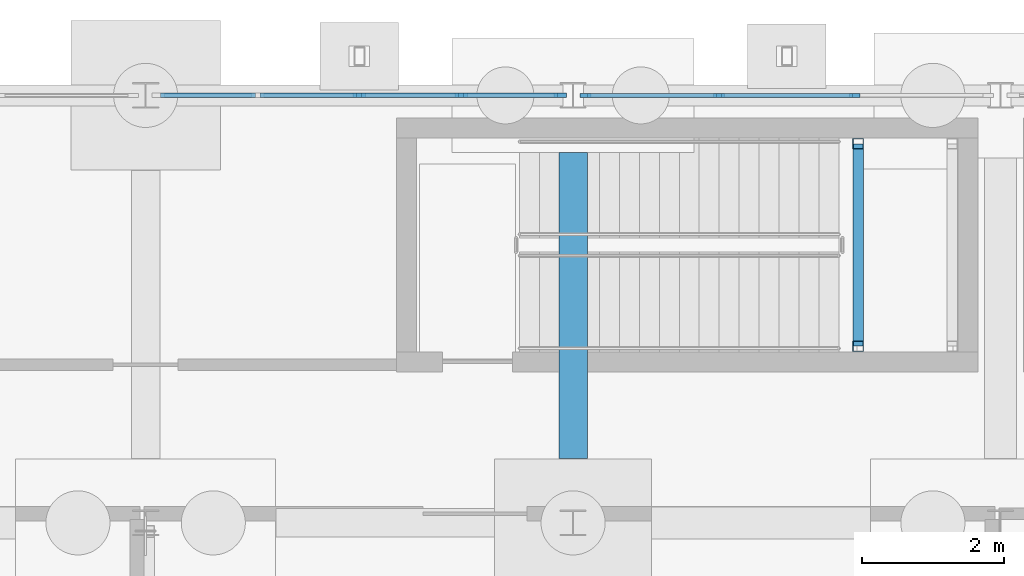
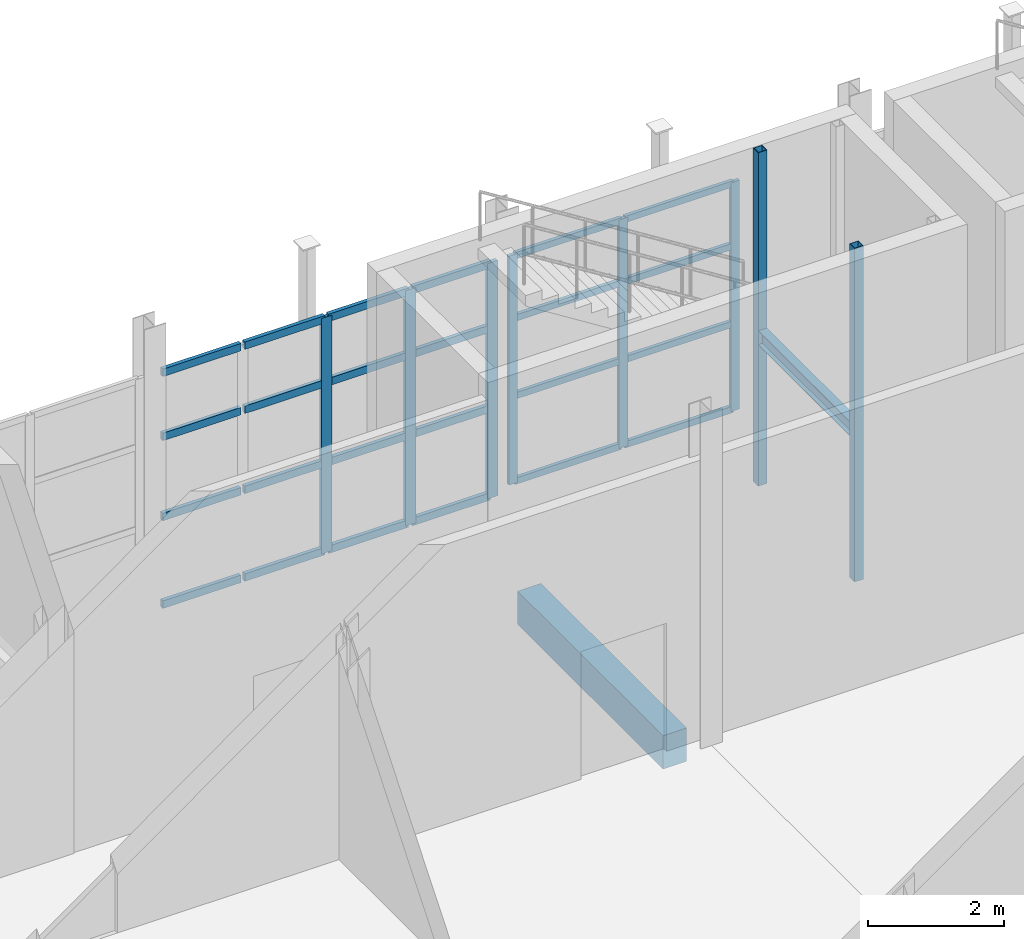
# One storey, part 39 of 120: 32 members, 2 beams, 2 elements without a shape of their own.
"""IFC4 building model written with IfcOpenShell, lengths in metres."""

import ifcopenshell
import ifcopenshell.guid

model = None  # the IFC model being written
_history = None  # IfcOwnerHistory: only IFC2X3 demands one
_inside = {}  # id of a spatial element -> (the spatial element, [elements in it])
_under = {}  # id of a project, library or spatial element -> (it, [spatial elements below it])
_declared = {}  # id of a project -> (the project, [libraries it declares])
_typed = {}  # id of a type object -> (the type object, [elements of that type])
_made_of = {}  # id of a material, layer set ... -> (it, [elements and type objects made of it])


def new_model(schema):
    """Start an empty IFC model of exactly this schema.

    Asked for "IFC4X3", IfcOpenShell would pick the latest addendum, in which some entities
    have other attributes; the version numbers below select the first issue.
    IFC2X3 requires an IfcOwnerHistory on every rooted entity: one is made here for all.
    """
    global model, _history
    if schema == "IFC4X3":
        model = ifcopenshell.file(schema_version=(4, 3, 0, 0))
    else:
        model = ifcopenshell.file(schema=schema)
    _inside.clear()
    _under.clear()
    _declared.clear()
    _typed.clear()
    _made_of.clear()
    _history = None
    if model.schema == "IFC2X3":
        org = make("IfcOrganization", Name="unknown")
        user = make(
            "IfcPersonAndOrganization",
            ThePerson=make("IfcPerson", FamilyName="unknown"),
            TheOrganization=org,
        )
        app = make(
            "IfcApplication",
            ApplicationDeveloper=org,
            Version="unknown",
            ApplicationFullName="unknown",
            ApplicationIdentifier="unknown",
        )
        _history = make(
            "IfcOwnerHistory",
            OwningUser=user,
            OwningApplication=app,
            ChangeAction="ADDED",
            CreationDate=0,
        )
    return model


def make(cls, **values):
    """One entity of the class cls with the attributes given. An attribute that is None is left unset."""
    return model.create_entity(
        cls, **{name: value for name, value in values.items() if value is not None}
    )


def rooted(cls, **values):
    """An entity with a GlobalId (a new one), such as an element, a storey or a relation."""
    return make(cls, GlobalId=ifcopenshell.guid.new(), OwnerHistory=_history, **values)


def si_unit(unit_type, name, prefix=None):
    """IfcSIUnit, for example si_unit("LENGTHUNIT", "METRE", prefix="MILLI")."""
    return make("IfcSIUnit", UnitType=unit_type, Prefix=prefix, Name=name)


def assignment(units):
    """IfcUnitAssignment: the units of a project."""
    return None if units is None else make("IfcUnitAssignment", Units=units)


def point(xyz):
    """IfcCartesianPoint."""
    return None if xyz is None else make("IfcCartesianPoint", Coordinates=xyz)


def direction(xyz):
    """IfcDirection."""
    return None if xyz is None else make("IfcDirection", DirectionRatios=xyz)


def frame(location, z_axis=None, x_axis=None):
    """IfcAxis2Placement3D, a coordinate frame: its origin and axes. An axis left out is left unset."""
    return make(
        "IfcAxis2Placement3D",
        Location=point(location),
        Axis=direction(z_axis),
        RefDirection=direction(x_axis),
    )


def frame_2d(location, x_axis=None):
    """IfcAxis2Placement2D, a coordinate frame in the plane: its origin and x axis."""
    return make(
        "IfcAxis2Placement2D", Location=point(location), RefDirection=direction(x_axis)
    )


def origin():
    """The frame at (0, 0, 0) with its axes left unset."""
    return frame((0.0, 0.0, 0.0))


def origin_2d():
    """The frame at (0, 0) in the plane with its x axis left unset."""
    return frame_2d((0.0, 0.0))


def place(relative_to, where):
    """IfcLocalPlacement: puts the frame where relative to a parent placement (None: the world)."""
    return make(
        "IfcLocalPlacement", PlacementRelTo=relative_to, RelativePlacement=where
    )


def context(
    kind, dimensions, precision=None, world=None, true_north=None, identifier=None
):
    """IfcGeometricRepresentationContext, for example the 3D "Model" context."""
    return make(
        "IfcGeometricRepresentationContext",
        ContextIdentifier=identifier,
        ContextType=kind,
        CoordinateSpaceDimension=dimensions,
        Precision=precision,
        WorldCoordinateSystem=world,
        TrueNorth=true_north,
    )


def subcontext(parent, identifier, kind, view, scale=None):
    """IfcGeometricRepresentationSubContext, for example "Body" below "Model"."""
    return make(
        "IfcGeometricRepresentationSubContext",
        ContextIdentifier=identifier,
        ContextType=kind,
        ParentContext=parent,
        TargetScale=scale,
        TargetView=view,
    )


def project(units=None, contexts=None):
    """IfcProject with its units and contexts."""
    return rooted(
        "IfcProject",
        Name="project",
        RepresentationContexts=contexts,
        UnitsInContext=assignment(units),
    )


def spatial(cls, under=None, at=None, **own):
    """A site, building, storey or space (cls), placed at a placement, below another one or the project."""
    s = rooted(cls, ObjectPlacement=at, **own)
    if under is not None:
        _under.setdefault(under.id(), (under, []))[1].append(s)
    return s


def profile(cls, at=None, kind="AREA", **sizes):
    """A parametric profile (cls). Its sizes go by their IFC names, for example OverallWidth=200.0."""
    return make(cls, ProfileType=kind, Position=at, **sizes)


def rectangle(**sizes):
    """IfcRectangleProfileDef."""
    return profile("IfcRectangleProfileDef", **sizes)


def hollow_rectangle(**sizes):
    """IfcRectangleHollowProfileDef."""
    return profile("IfcRectangleHollowProfileDef", **sizes)


def i_section(**sizes):
    """IfcIShapeProfileDef."""
    return profile("IfcIShapeProfileDef", **sizes)


def extrude(swept, where, along, depth):
    """IfcExtrudedAreaSolid: the profile swept, set in the frame where, extruded along a direction by depth."""
    return make(
        "IfcExtrudedAreaSolid",
        SweptArea=swept,
        Position=where,
        ExtrudedDirection=direction(along),
        Depth=depth,
    )


def shape(context_of_items, identifier, shape_type, items):
    """IfcShapeRepresentation: the items that make up one representation, for example the "Body"."""
    return make(
        "IfcShapeRepresentation",
        ContextOfItems=context_of_items,
        RepresentationIdentifier=identifier,
        RepresentationType=shape_type,
        Items=items,
    )


def material(Name=None, Category=None):
    """IfcMaterial."""
    return make("IfcMaterial", Name=Name, Category=Category)


def material_profile(
    of_material, cross_section, Name=None, Category=None, Priority=None
):
    """IfcMaterialProfile: a cross section and its material."""
    return make(
        "IfcMaterialProfile",
        Name=Name,
        Material=of_material,
        Profile=cross_section,
        Priority=Priority,
        Category=Category,
    )


def profile_set(profiles, Name=None, composite=None):
    """IfcMaterialProfileSet."""
    return make(
        "IfcMaterialProfileSet",
        Name=Name,
        MaterialProfiles=profiles,
        CompositeProfile=composite,
    )


def made_of(thing, what):
    """Note that an element or type object is made of a material, layer set ...; save() writes the relation."""
    if what is not None:
        _made_of.setdefault(what.id(), (what, []))[1].append(thing)
    return thing


def type_object(cls, material=None, **own):
    """A type object (cls), such as IfcWallType, which elements share."""
    return made_of(rooted(cls, **own), material)


def element(
    cls,
    number,
    at=None,
    inside=None,
    cuts=None,
    type_object=None,
    material=None,
    context=None,
    identifier="Body",
    shape_type=None,
    held_by="IfcProductDefinitionShape",
    body=None,
    shapes=None,
    **own,
):
    """One element of the class cls, such as IfcWall. Its Tag is "e" and its number.

    at: its placement. inside: the storey or other place that contains it. cuts: it is an
    opening in that element (IfcRelVoidsElement). A single representation is given by context,
    identifier, shape_type and body (its items); several are given by shapes. held_by: the class
    of the entity that holds the representations. save() writes the other relations.
    """
    e = rooted(cls, Tag="e%d" % number, ObjectPlacement=at, **own)
    if body is not None:
        shapes = [shape(context, identifier, shape_type, body)]
    if shapes is not None:
        e.Representation = make(held_by, Representations=shapes)
    if inside is not None:
        _inside.setdefault(inside.id(), (inside, []))[1].append(e)
    if cuts is not None:
        rooted(
            "IfcRelVoidsElement", RelatingBuildingElement=cuts, RelatedOpeningElement=e
        )
    if type_object is not None:
        _typed.setdefault(type_object.id(), (type_object, []))[1].append(e)
    return made_of(e, material)


def aggregate(whole, parts):
    """IfcRelAggregates: a whole, such as a stair, and the parts it consists of."""
    return rooted("IfcRelAggregates", RelatingObject=whole, RelatedObjects=parts)


def save(model, path):
    """Write the relations noted so far, then the file.

    IfcRelAggregates (storeys below a building ...), IfcRelContainedInSpatialStructure (elements
    in a storey), IfcRelDefinesByType, IfcRelAssociatesMaterial and IfcRelDeclares: one each for
    every whole, place, type object, material and project.
    """
    for whole, parts in _under.values():
        aggregate(whole, parts)
    for where, things in _inside.values():
        rooted(
            "IfcRelContainedInSpatialStructure",
            RelatedElements=things,
            RelatingStructure=where,
        )
    for kind, things in _typed.values():
        rooted("IfcRelDefinesByType", RelatedObjects=things, RelatingType=kind)
    for what, things in _made_of.values():
        rooted("IfcRelAssociatesMaterial", RelatedObjects=things, RelatingMaterial=what)
    for by, libraries in _declared.values():
        rooted("IfcRelDeclares", RelatingContext=by, RelatedDefinitions=libraries)
    model.write(path)


model = new_model("IFC4")

# Units and contexts
model_context = context("Model", 3, precision=1e-05, world=origin(), true_north=direction((0.0, 1.0)))
body_context = subcontext(model_context, "Body", "Model", "MODEL_VIEW")
ifc_project = project(units=[si_unit("LENGTHUNIT", "METRE"), si_unit("AREAUNIT", "SQUARE_METRE"), si_unit("VOLUMEUNIT", "CUBIC_METRE"), si_unit("PLANEANGLEUNIT", "RADIAN"), si_unit("MASSUNIT", "GRAM", prefix="KILO")], contexts=[model_context])

# Site, building, storey
site_placement = place(None, origin())
site = spatial("IfcSite", under=ifc_project, at=site_placement, CompositionType="ELEMENT")
building_placement = place(site_placement, origin())
building = spatial("IfcBuilding", under=site, at=building_placement, Name="Siltcreek Boulevard Central Fire Station", CompositionType="ELEMENT")
storey_placement = place(building_placement, origin())
storey = spatial("IfcBuildingStorey", under=building, at=storey_placement, Name="L01", CompositionType="ELEMENT", Elevation=0.0)

# Members
ifc_material_1 = material(Name="Structural steel ASTM A500 GrC", Category="steel")
ifc_material_profile_1 = material_profile(ifc_material_1, hollow_rectangle(XDim=0.14990234375, YDim=0.14990234375, WallThickness=0.008056640625, at=origin_2d()), Name="HSS150X150X8.0")
ifc_profile_set_1 = profile_set([ifc_material_profile_1], Name="Structural steel ASTM A500 GrC")
member_type_1 = type_object("IfcMemberType", Name="BR_HSS150_8", PredefinedType="BRACE", material=ifc_profile_set_1)
for number, where, z_axis, x_axis, name in (
    (1, (64.0, 50.47998046875, 0.0), (0.0, 0.0, 1.0), (1.0, 0.0, 0.0), "L01 ST-V1B stair landing corner post SW"),
    (2, (64.0, 53.320068359375, 0.0), (0.0, 0.0, 1.0), (1.0, 0.0, 0.0), "L01 ST-V1B stair landing corner post NW"),
):
    element("IfcMember", number, at=place(storey_placement, frame(where, z_axis=z_axis, x_axis=x_axis)), inside=storey, type_object=member_type_1, Name=name, PredefinedType="BRACE", context=body_context, shape_type="SweptSolid", body=[
        extrude(hollow_rectangle(XDim=0.14990234375, YDim=0.14990234375, WallThickness=0.008056640625, at=origin_2d()), origin(), (0.0, 0.0, 1.0), 6.0),
    ])

# Curtain wall, members
ifc_material_2 = material(Name="Anodized aluminum and low-E insulated glazing", Category="aluminium")
curtain_wall_type_1 = type_object("IfcCurtainWallType", Name="CW_SYS_06", PredefinedType="USERDEFINED", material=ifc_material_2)
curtain_wall_1_placement = place(storey_placement, origin())
curtain_wall_1 = element("IfcCurtainWall", 3, at=curtain_wall_1_placement, inside=storey, type_object=curtain_wall_type_1, Name="L01 V1 unitised curtain wall CW-005", ObjectType="CURTAIN WALL", PredefinedType="USERDEFINED")
ifc_material_3 = material(Name="Anodized 6063-T6 aluminum framing", Category="aluminium")
ifc_material_profile_2 = material_profile(ifc_material_3, rectangle(XDim=0.06005859375, YDim=0.14990234375, at=origin_2d()), Name="MULL60X150")
ifc_profile_set_2 = profile_set([ifc_material_profile_2], Name="Anodized 6063-T6 aluminum framing")
member_type_2 = type_object("IfcMemberType", Name="CWM_60X150", PredefinedType="MULLION", material=ifc_profile_set_2)
member_1_placement = place(storey_placement, frame((63.95166015625, 54.0, 0.919921875), z_axis=(0.0, 0.0, 1.0), x_axis=(0.0, -1.0, 0.0)))
member_1 = element("IfcMember", 4, at=member_1_placement, type_object=member_type_2, Name="CW-005 mullion 2", PredefinedType="MULLION", context=body_context, shape_type="SweptSolid", body=[
    extrude(rectangle(XDim=0.06005859375, YDim=0.14990234375, at=origin_2d()), origin(), (0.0, 0.0, 1.0), 4.114990234375),
])
member_2_placement = place(storey_placement, frame((62.04833984375, 54.0, 0.919921875), z_axis=(0.0, 0.0, 1.0), x_axis=(0.0, -1.0, 0.0)))
member_2 = element("IfcMember", 5, at=member_2_placement, type_object=member_type_2, Name="CW-005 mullion 3", PredefinedType="MULLION", context=body_context, shape_type="SweptSolid", body=[
    extrude(rectangle(XDim=0.06005859375, YDim=0.14990234375, at=origin_2d()), origin(), (0.0, 0.0, 1.0), 4.114990234375),
])
member_3_placement = place(storey_placement, frame((60.175048828125, 54.0, 0.919921875), z_axis=(0.0, 0.0, 1.0), x_axis=(0.0, -1.0, 0.0)))
member_3 = element("IfcMember", 6, at=member_3_placement, type_object=member_type_2, Name="CW-005 mullion 4", PredefinedType="MULLION", context=body_context, shape_type="SweptSolid", body=[
    extrude(rectangle(XDim=0.06005859375, YDim=0.14990234375, at=origin_2d()), origin(), (0.0, 0.0, 1.0), 4.114990234375),
])

curtain_wall_type_2 = type_object("IfcCurtainWallType", Name="CW_SYS_05", PredefinedType="USERDEFINED", material=ifc_material_2)
curtain_wall_2_placement = place(storey_placement, origin())
curtain_wall_2 = element("IfcCurtainWall", 7, at=curtain_wall_2_placement, inside=storey, type_object=curtain_wall_type_2, Name="L01 V1 unitised curtain wall CW-004", ObjectType="CURTAIN WALL", PredefinedType="USERDEFINED")
ifc_material_profile_3 = material_profile(ifc_material_3, rectangle(XDim=0.06494140625, YDim=0.175048828125, at=origin_2d()), Name="MULL65X175")
ifc_profile_set_3 = profile_set([ifc_material_profile_3], Name="Anodized 6063-T6 aluminum framing")
member_type_3 = type_object("IfcMemberType", Name="CWM_65X175", PredefinedType="MULLION", material=ifc_profile_set_3)
member_4_placement = place(storey_placement, frame((59.822509765625, 54.0, 0.800048828125), z_axis=(0.0, 0.0, 1.0), x_axis=(0.0, -1.0, 0.0)))
member_4 = element("IfcMember", 8, at=member_4_placement, type_object=member_type_3, Name="CW-004 mullion 1", PredefinedType="MULLION", context=body_context, shape_type="SweptSolid", body=[
    extrude(rectangle(XDim=0.06494140625, YDim=0.175048828125, at=origin_2d()), origin(), (0.0, 0.0, 1.0), 4.23486328125),
])
member_5_placement = place(storey_placement, frame((58.427490234375, 54.0, 0.800048828125), z_axis=(0.0, 0.0, 1.0), x_axis=(0.0, -1.0, 0.0)))
member_5 = element("IfcMember", 9, at=member_5_placement, type_object=member_type_3, Name="CW-004 mullion 2", PredefinedType="MULLION", context=body_context, shape_type="SweptSolid", body=[
    extrude(rectangle(XDim=0.06494140625, YDim=0.175048828125, at=origin_2d()), origin(), (0.0, 0.0, 1.0), 4.23486328125),
])
member_6_placement = place(storey_placement, frame((57.0, 54.0, 0.800048828125), z_axis=(0.0, 0.0, 1.0), x_axis=(0.0, -1.0, 0.0)))
member_6 = element("IfcMember", 10, at=member_6_placement, type_object=member_type_3, Name="CW-004 mullion 3", PredefinedType="MULLION", context=body_context, shape_type="SweptSolid", body=[
    extrude(rectangle(XDim=0.06494140625, YDim=0.175048828125, at=origin_2d()), origin(), (0.0, 0.0, 1.0), 4.23486328125),
])

# Member
ifc_material_profile_4 = material_profile(ifc_material_3, rectangle(XDim=0.06005859375, YDim=0.114990234375, at=origin_2d()), Name="TRAN60X115")
ifc_profile_set_4 = profile_set([ifc_material_profile_4], Name="Anodized 6063-T6 aluminum framing")
member_type_4 = type_object("IfcMemberType", Name="CWT_60X115", PredefinedType="USERDEFINED", material=ifc_profile_set_4)
member_7_placement = place(storey_placement, frame((63.921630859375, 54.0, 0.949951171875), z_axis=(-1.0, 0.0, 0.0), x_axis=(0.0, -1.0, 0.0)))
member_7 = element("IfcMember", 11, at=member_7_placement, type_object=member_type_4, Name="CW-005 transom 2.1", ObjectType="TRANSOM", PredefinedType="USERDEFINED", context=body_context, shape_type="SweptSolid", body=[
    extrude(rectangle(XDim=0.06005859375, YDim=0.114990234375, at=origin_2d()), origin(), (0.0, 0.0, 1.0), 1.84326171875),
])

member_8_placement = place(storey_placement, frame((63.921630859375, 54.0, 2.483642578125), z_axis=(-1.0, 0.0, 0.0), x_axis=(0.0, -1.0, 0.0)))
member_8 = element("IfcMember", 12, at=member_8_placement, type_object=member_type_4, Name="CW-005 transom 2.2", ObjectType="TRANSOM", PredefinedType="USERDEFINED", context=body_context, shape_type="SweptSolid", body=[
    extrude(rectangle(XDim=0.06005859375, YDim=0.114990234375, at=origin_2d()), origin(), (0.0, 0.0, 1.0), 1.84326171875),
])

member_9_placement = place(storey_placement, frame((63.921630859375, 54.0, 3.8828125), z_axis=(-1.0, 0.0, 0.0), x_axis=(0.0, -1.0, 0.0)))
member_9 = element("IfcMember", 13, at=member_9_placement, type_object=member_type_4, Name="CW-005 transom 2.3", ObjectType="TRANSOM", PredefinedType="USERDEFINED", context=body_context, shape_type="SweptSolid", body=[
    extrude(rectangle(XDim=0.06005859375, YDim=0.114990234375, at=origin_2d()), origin(), (0.0, 0.0, 1.0), 1.84326171875),
])

member_10_placement = place(storey_placement, frame((63.921630859375, 54.0, 5.0048828125), z_axis=(-1.0, 0.0, 0.0), x_axis=(0.0, -1.0, 0.0)))
member_10 = element("IfcMember", 14, at=member_10_placement, type_object=member_type_4, Name="CW-005 transom 2.4", ObjectType="TRANSOM", PredefinedType="USERDEFINED", context=body_context, shape_type="SweptSolid", body=[
    extrude(rectangle(XDim=0.06005859375, YDim=0.114990234375, at=origin_2d()), origin(), (0.0, 0.0, 1.0), 1.84326171875),
])

member_11_placement = place(storey_placement, frame((62.018310546875, 54.0, 0.949951171875), z_axis=(-1.0, 0.0, 0.0), x_axis=(0.0, -1.0, 0.0)))
member_11 = element("IfcMember", 15, at=member_11_placement, type_object=member_type_4, Name="CW-005 transom 3.1", ObjectType="TRANSOM", PredefinedType="USERDEFINED", context=body_context, shape_type="SweptSolid", body=[
    extrude(rectangle(XDim=0.06005859375, YDim=0.114990234375, at=origin_2d()), origin(), (0.0, 0.0, 1.0), 1.813232421875),
])

member_12_placement = place(storey_placement, frame((62.018310546875, 54.0, 2.483642578125), z_axis=(-1.0, 0.0, 0.0), x_axis=(0.0, -1.0, 0.0)))
member_12 = element("IfcMember", 16, at=member_12_placement, type_object=member_type_4, Name="CW-005 transom 3.2", ObjectType="TRANSOM", PredefinedType="USERDEFINED", context=body_context, shape_type="SweptSolid", body=[
    extrude(rectangle(XDim=0.06005859375, YDim=0.114990234375, at=origin_2d()), origin(), (0.0, 0.0, 1.0), 1.813232421875),
])

member_13_placement = place(storey_placement, frame((62.018310546875, 54.0, 3.8828125), z_axis=(-1.0, 0.0, 0.0), x_axis=(0.0, -1.0, 0.0)))
member_13 = element("IfcMember", 17, at=member_13_placement, type_object=member_type_4, Name="CW-005 transom 3.3", ObjectType="TRANSOM", PredefinedType="USERDEFINED", context=body_context, shape_type="SweptSolid", body=[
    extrude(rectangle(XDim=0.06005859375, YDim=0.114990234375, at=origin_2d()), origin(), (0.0, 0.0, 1.0), 1.813232421875),
])

member_14_placement = place(storey_placement, frame((62.018310546875, 54.0, 5.0048828125), z_axis=(-1.0, 0.0, 0.0), x_axis=(0.0, -1.0, 0.0)))
member_14 = element("IfcMember", 18, at=member_14_placement, type_object=member_type_4, Name="CW-005 transom 3.4", ObjectType="TRANSOM", PredefinedType="USERDEFINED", context=body_context, shape_type="SweptSolid", body=[
    extrude(rectangle(XDim=0.06005859375, YDim=0.114990234375, at=origin_2d()), origin(), (0.0, 0.0, 1.0), 1.813232421875),
])

aggregate(curtain_wall_1, [member_1, member_2, member_3, member_7, member_8, member_9, member_10, member_11, member_12, member_13, member_14])

ifc_material_profile_5 = material_profile(ifc_material_3, rectangle(XDim=0.06494140625, YDim=0.135009765625, at=origin_2d()), Name="TRAN65X135")
ifc_profile_set_5 = profile_set([ifc_material_profile_5], Name="Anodized 6063-T6 aluminum framing")
member_type_5 = type_object("IfcMemberType", Name="CWT_65X135", PredefinedType="USERDEFINED", material=ifc_profile_set_5)
member_15_placement = place(storey_placement, frame((59.7900390625, 54.0, 0.83251953125), z_axis=(-1.0, 0.0, 0.0), x_axis=(0.0, -1.0, 0.0)))
member_15 = element("IfcMember", 19, at=member_15_placement, type_object=member_type_5, Name="CW-004 transom 1.1", ObjectType="TRANSOM", PredefinedType="USERDEFINED", context=body_context, shape_type="SweptSolid", body=[
    extrude(rectangle(XDim=0.06494140625, YDim=0.135009765625, at=origin_2d()), origin(), (0.0, 0.0, 1.0), 1.330078125),
])

member_16_placement = place(storey_placement, frame((59.7900390625, 54.0, 2.4091796875), z_axis=(-1.0, 0.0, 0.0), x_axis=(0.0, -1.0, 0.0)))
member_16 = element("IfcMember", 20, at=member_16_placement, type_object=member_type_5, Name="CW-004 transom 1.2", ObjectType="TRANSOM", PredefinedType="USERDEFINED", context=body_context, shape_type="SweptSolid", body=[
    extrude(rectangle(XDim=0.06494140625, YDim=0.135009765625, at=origin_2d()), origin(), (0.0, 0.0, 1.0), 1.330078125),
])

member_17_placement = place(storey_placement, frame((59.7900390625, 54.0, 3.84912109375), z_axis=(-1.0, 0.0, 0.0), x_axis=(0.0, -1.0, 0.0)))
member_17 = element("IfcMember", 21, at=member_17_placement, type_object=member_type_5, Name="CW-004 transom 1.3", ObjectType="TRANSOM", PredefinedType="USERDEFINED", context=body_context, shape_type="SweptSolid", body=[
    extrude(rectangle(XDim=0.06494140625, YDim=0.135009765625, at=origin_2d()), origin(), (0.0, 0.0, 1.0), 1.330078125),
])

member_18_placement = place(storey_placement, frame((59.7900390625, 54.0, 5.00244140625), z_axis=(-1.0, 0.0, 0.0), x_axis=(0.0, -1.0, 0.0)))
member_18 = element("IfcMember", 22, at=member_18_placement, type_object=member_type_5, Name="CW-004 transom 1.4", ObjectType="TRANSOM", PredefinedType="USERDEFINED", context=body_context, shape_type="SweptSolid", body=[
    extrude(rectangle(XDim=0.06494140625, YDim=0.135009765625, at=origin_2d()), origin(), (0.0, 0.0, 1.0), 1.330078125),
])

member_19_placement = place(storey_placement, frame((58.39501953125, 54.0, 0.83251953125), z_axis=(-1.0, 0.0, 0.0), x_axis=(0.0, -1.0, 0.0)))
member_19 = element("IfcMember", 23, at=member_19_placement, type_object=member_type_5, Name="CW-004 transom 2.1", ObjectType="TRANSOM", PredefinedType="USERDEFINED", context=body_context, shape_type="SweptSolid", body=[
    extrude(rectangle(XDim=0.06494140625, YDim=0.135009765625, at=origin_2d()), origin(), (0.0, 0.0, 1.0), 1.362548828125),
])

member_20_placement = place(storey_placement, frame((58.39501953125, 54.0, 2.4091796875), z_axis=(-1.0, 0.0, 0.0), x_axis=(0.0, -1.0, 0.0)))
member_20 = element("IfcMember", 24, at=member_20_placement, type_object=member_type_5, Name="CW-004 transom 2.2", ObjectType="TRANSOM", PredefinedType="USERDEFINED", context=body_context, shape_type="SweptSolid", body=[
    extrude(rectangle(XDim=0.06494140625, YDim=0.135009765625, at=origin_2d()), origin(), (0.0, 0.0, 1.0), 1.362548828125),
])

member_21_placement = place(storey_placement, frame((58.39501953125, 54.0, 3.84912109375), z_axis=(-1.0, 0.0, 0.0), x_axis=(0.0, -1.0, 0.0)))
member_21 = element("IfcMember", 25, at=member_21_placement, type_object=member_type_5, Name="CW-004 transom 2.3", ObjectType="TRANSOM", PredefinedType="USERDEFINED", context=body_context, shape_type="SweptSolid", body=[
    extrude(rectangle(XDim=0.06494140625, YDim=0.135009765625, at=origin_2d()), origin(), (0.0, 0.0, 1.0), 1.362548828125),
])

member_22_placement = place(storey_placement, frame((58.39501953125, 54.0, 5.00244140625), z_axis=(-1.0, 0.0, 0.0), x_axis=(0.0, -1.0, 0.0)))
member_22 = element("IfcMember", 26, at=member_22_placement, type_object=member_type_5, Name="CW-004 transom 2.4", ObjectType="TRANSOM", PredefinedType="USERDEFINED", context=body_context, shape_type="SweptSolid", body=[
    extrude(rectangle(XDim=0.06494140625, YDim=0.135009765625, at=origin_2d()), origin(), (0.0, 0.0, 1.0), 1.362548828125),
])

member_23_placement = place(storey_placement, frame((56.967529296875, 54.0, 0.83251953125), z_axis=(-1.0, 0.0, 0.0), x_axis=(0.0, -1.0, 0.0)))
member_23 = element("IfcMember", 27, at=member_23_placement, type_object=member_type_5, Name="CW-004 transom 3.1", ObjectType="TRANSOM", PredefinedType="USERDEFINED", context=body_context, shape_type="SweptSolid", body=[
    extrude(rectangle(XDim=0.06494140625, YDim=0.135009765625, at=origin_2d()), origin(), (0.0, 0.0, 1.0), 1.362548828125),
])

member_24_placement = place(storey_placement, frame((56.967529296875, 54.0, 2.4091796875), z_axis=(-1.0, 0.0, 0.0), x_axis=(0.0, -1.0, 0.0)))
member_24 = element("IfcMember", 28, at=member_24_placement, type_object=member_type_5, Name="CW-004 transom 3.2", ObjectType="TRANSOM", PredefinedType="USERDEFINED", context=body_context, shape_type="SweptSolid", body=[
    extrude(rectangle(XDim=0.06494140625, YDim=0.135009765625, at=origin_2d()), origin(), (0.0, 0.0, 1.0), 1.362548828125),
])

member_25_placement = place(storey_placement, frame((56.967529296875, 54.0, 3.84912109375), z_axis=(-1.0, 0.0, 0.0), x_axis=(0.0, -1.0, 0.0)))
member_25 = element("IfcMember", 29, at=member_25_placement, type_object=member_type_5, Name="CW-004 transom 3.3", ObjectType="TRANSOM", PredefinedType="USERDEFINED", context=body_context, shape_type="SweptSolid", body=[
    extrude(rectangle(XDim=0.06494140625, YDim=0.135009765625, at=origin_2d()), origin(), (0.0, 0.0, 1.0), 1.362548828125),
])

member_26_placement = place(storey_placement, frame((56.967529296875, 54.0, 5.00244140625), z_axis=(-1.0, 0.0, 0.0), x_axis=(0.0, -1.0, 0.0)))
member_26 = element("IfcMember", 30, at=member_26_placement, type_object=member_type_5, Name="CW-004 transom 3.4", ObjectType="TRANSOM", PredefinedType="USERDEFINED", context=body_context, shape_type="SweptSolid", body=[
    extrude(rectangle(XDim=0.06494140625, YDim=0.135009765625, at=origin_2d()), origin(), (0.0, 0.0, 1.0), 1.362548828125),
])

member_27_placement = place(storey_placement, frame((55.5400390625, 54.0, 0.83251953125), z_axis=(-1.0, 0.0, 0.0), x_axis=(0.0, -1.0, 0.0)))
member_27 = element("IfcMember", 31, at=member_27_placement, type_object=member_type_5, Name="CW-004 transom 4.1", ObjectType="TRANSOM", PredefinedType="USERDEFINED", context=body_context, shape_type="SweptSolid", body=[
    extrude(rectangle(XDim=0.06494140625, YDim=0.135009765625, at=origin_2d()), origin(), (0.0, 0.0, 1.0), 1.330078125),
])

member_28_placement = place(storey_placement, frame((55.5400390625, 54.0, 2.4091796875), z_axis=(-1.0, 0.0, 0.0), x_axis=(0.0, -1.0, 0.0)))
member_28 = element("IfcMember", 32, at=member_28_placement, type_object=member_type_5, Name="CW-004 transom 4.2", ObjectType="TRANSOM", PredefinedType="USERDEFINED", context=body_context, shape_type="SweptSolid", body=[
    extrude(rectangle(XDim=0.06494140625, YDim=0.135009765625, at=origin_2d()), origin(), (0.0, 0.0, 1.0), 1.330078125),
])

member_29_placement = place(storey_placement, frame((55.5400390625, 54.0, 3.84912109375), z_axis=(-1.0, 0.0, 0.0), x_axis=(0.0, -1.0, 0.0)))
member_29 = element("IfcMember", 33, at=member_29_placement, type_object=member_type_5, Name="CW-004 transom 4.3", ObjectType="TRANSOM", PredefinedType="USERDEFINED", context=body_context, shape_type="SweptSolid", body=[
    extrude(rectangle(XDim=0.06494140625, YDim=0.135009765625, at=origin_2d()), origin(), (0.0, 0.0, 1.0), 1.330078125),
])

member_30_placement = place(storey_placement, frame((55.5400390625, 54.0, 5.00244140625), z_axis=(-1.0, 0.0, 0.0), x_axis=(0.0, -1.0, 0.0)))
member_30 = element("IfcMember", 34, at=member_30_placement, type_object=member_type_5, Name="CW-004 transom 4.4", ObjectType="TRANSOM", PredefinedType="USERDEFINED", context=body_context, shape_type="SweptSolid", body=[
    extrude(rectangle(XDim=0.06494140625, YDim=0.135009765625, at=origin_2d()), origin(), (0.0, 0.0, 1.0), 1.330078125),
])

aggregate(curtain_wall_2, [member_4, member_5, member_6, member_15, member_16, member_17, member_18, member_19, member_20, member_21, member_22, member_23, member_24, member_25, member_26, member_27, member_28, member_29, member_30])

# Beams
ifc_material_4 = material(Name="Concrete C35/45", Category="concrete")
ifc_material_profile_6 = material_profile(ifc_material_4, rectangle(XDim=0.39990234375, YDim=0.60009765625, at=origin_2d()), Name="RC400X600")
ifc_profile_set_6 = profile_set([ifc_material_profile_6], Name="Concrete C35/45")
beam_type_1 = type_object("IfcBeamType", Name="GB_RC400X600", PredefinedType="USERDEFINED", material=ifc_profile_set_6)
beam_1_placement = place(storey_placement, frame((60.0, 48.902099609375, -0.7099609375), z_axis=(0.0, 1.0, 0.0), x_axis=(-1.0, 0.0, 0.0)))
element("IfcBeam", 35, at=beam_1_placement, inside=storey, type_object=beam_type_1, Name="Reinforced concrete tie grade beam GB-173", ObjectType="GRADE BEAM", PredefinedType="USERDEFINED", context=body_context, shape_type="SweptSolid", body=[
    extrude(rectangle(XDim=0.39990234375, YDim=0.60009765625, at=origin_2d()), origin(), (0.0, 0.0, 1.0), 4.2958984375),
])
ifc_material_5 = material(Name="Structural steel ASTM A992 Gr50", Category="steel")
ifc_material_profile_7 = material_profile(ifc_material_5, i_section(OverallWidth=0.14697265625, OverallDepth=0.261962890625, WebThickness=0.006591796875, FlangeThickness=0.01123046875, at=origin_2d()), Name="W250X39")
ifc_profile_set_7 = profile_set([ifc_material_profile_7], Name="Structural steel ASTM A992 Gr50")
beam_type_2 = type_object("IfcBeamType", Name="JST_W250X39", PredefinedType="JOIST", material=ifc_profile_set_7)
beam_2_placement = place(storey_placement, frame((64.0, 50.47998046875, 2.6689453125), z_axis=(0.0, 1.0, 0.0), x_axis=(-1.0, 0.0, 0.0)))
element("IfcBeam", 36, at=beam_2_placement, inside=storey, type_object=beam_type_2, Name="L01 ST-V1B stair landing bearer MIDW", PredefinedType="JOIST", context=body_context, shape_type="SweptSolid", body=[
    extrude(i_section(OverallWidth=0.14697265625, OverallDepth=0.261962890625, WebThickness=0.006591796875, FlangeThickness=0.01123046875, at=origin_2d()), origin(), (0.0, 0.0, 1.0), 2.840087890625),
])

save(model, "model.ifc")
